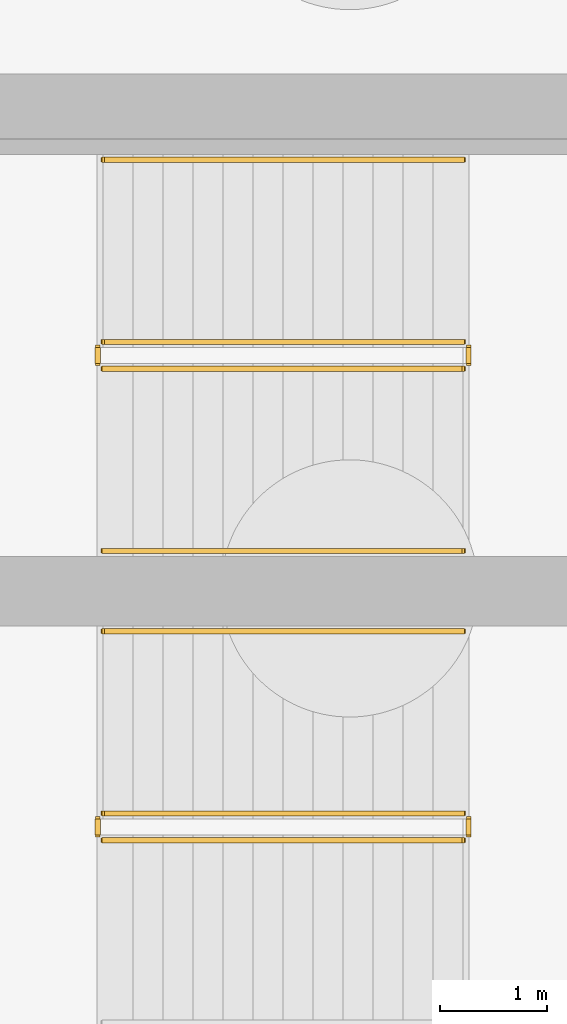
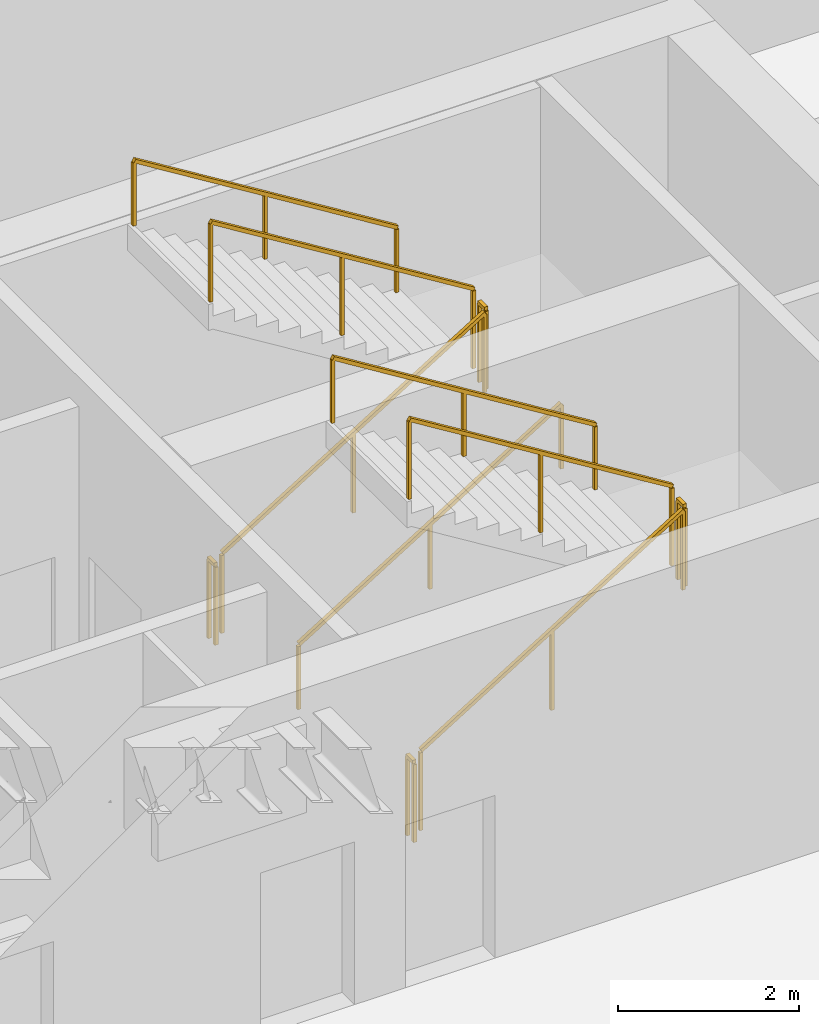
# One storey, part 9 of 11: 11 railings.
"""IFC4 building model written with IfcOpenShell, lengths in metres."""

from ifc_helpers import new_model, si_unit, direction, frame, origin, origin_2d, place, context, subcontext, project, spatial, rectangle, extrude, material, layer, layer_set, type_object, element, save


model = new_model("IFC4")

# Units and contexts
model_context = context("Model", 3, precision=1e-05, world=origin(), true_north=direction((0.0, 1.0)))
body_context = subcontext(model_context, "Body", "Model", "MODEL_VIEW")
ifc_project = project(units=[si_unit("LENGTHUNIT", "METRE"), si_unit("AREAUNIT", "SQUARE_METRE"), si_unit("VOLUMEUNIT", "CUBIC_METRE"), si_unit("PLANEANGLEUNIT", "RADIAN"), si_unit("MASSUNIT", "GRAM", prefix="KILO")], contexts=[model_context])

# Site, building, storey
site_placement = place(None, origin())
site = spatial("IfcSite", under=ifc_project, at=site_placement, CompositionType="ELEMENT")
building_placement = place(site_placement, origin())
building = spatial("IfcBuilding", under=site, at=building_placement, Name="Caeloran Harvest Quay", CompositionType="ELEMENT")
storey_placement = place(building_placement, frame((0.0, 0.0, -18.0)))
storey = spatial("IfcBuildingStorey", under=building, at=storey_placement, Name="B04", CompositionType="ELEMENT", Elevation=-18.0)

# Railings
ifc_material_1 = material(Name="Painted Steel Baluster and Top-Rail Stair Guard", Category="steel")
ifc_layer_1 = layer(ifc_material_1, 0.050048828125, Name="Painted Steel Baluster and Top-Rail Stair Guard")
ifc_layer_set_1 = layer_set([ifc_layer_1], Name="Painted Steel Baluster and Top-Rail Stair Guard")
railing_type_1 = type_object("IfcRailingType", Name="STAIR-GUARD-1100", PredefinedType="GUARDRAIL", material=ifc_layer_set_1)
railing_1_placement = place(storey_placement, frame((15.89990234375, 38.25, 0.173095703125)))
element("IfcRailing", 1, at=railing_1_placement, inside=storey, type_object=railing_type_1, Name="B04 ST-C1 stair guard 1", PredefinedType="GUARDRAIL", context=body_context, shape_type="SweptSolid", body=[
    extrude(rectangle(XDim=0.048095703125, YDim=0.048095703125, at=origin_2d()), frame((0.0, 0.0, 1.076171875), z_axis=(0.850623216509, 0.0, 0.525775754039), x_axis=(0.0, 1.0, 0.0)), (0.0, 0.0, 1.0), 3.9501953125),
    extrude(rectangle(XDim=0.0419921875, YDim=0.0419921875, at=origin_2d()), origin(), (0.0, 0.0, 1.0), 1.052001953125),
    extrude(rectangle(XDim=0.0419921875, YDim=0.0419921875, at=origin_2d()), frame((1.68017578125, 0.0, 1.03857421875)), (0.0, 0.0, 1.0), 1.052001953125),
    extrude(rectangle(XDim=0.0419921875, YDim=0.0419921875, at=origin_2d()), frame((3.360107421875, 0.0, 2.076904296875)), (0.0, 0.0, 1.0), 1.052001953125),
])
railing_2_placement = place(storey_placement, frame((19.31005859375, 38.300048828125, 2.25)))
element("IfcRailing", 2, at=railing_2_placement, inside=storey, type_object=railing_type_1, Name="B04 ST-C1 stair guard 2", PredefinedType="GUARDRAIL", context=body_context, shape_type="SweptSolid", body=[
    extrude(rectangle(XDim=0.048095703125, YDim=0.048095703125, at=origin_2d()), frame((0.0, 0.0, 1.076171875), z_axis=(0.0, 1.0, 0.0), x_axis=(-1.0, 0.0, 0.0)), (0.0, 0.0, 1.0), 0.14990234375),
    extrude(rectangle(XDim=0.0419921875, YDim=0.0419921875, at=origin_2d()), origin(), (0.0, 0.0, 1.0), 1.052001953125),
    extrude(rectangle(XDim=0.0419921875, YDim=0.0419921875, at=origin_2d()), frame((0.0, 0.14990234375, 0.0)), (0.0, 0.0, 1.0), 1.052001953125),
])
railing_3_placement = place(storey_placement, frame((19.260009765625, 38.5, 2.423095703125)))
element("IfcRailing", 3, at=railing_3_placement, inside=storey, type_object=railing_type_1, Name="B04 ST-C1 stair guard 3", PredefinedType="GUARDRAIL", context=body_context, shape_type="SweptSolid", body=[
    extrude(rectangle(XDim=0.048095703125, YDim=0.048095703125, at=origin_2d()), frame((0.0, 0.0, 1.076171875), z_axis=(-0.850623216509, 0.0, 0.525775754039), x_axis=(0.0, -1.0, 0.0)), (0.0, 0.0, 1.0), 3.9501953125),
    extrude(rectangle(XDim=0.0419921875, YDim=0.0419921875, at=origin_2d()), origin(), (0.0, 0.0, 1.0), 1.052001953125),
    extrude(rectangle(XDim=0.0419921875, YDim=0.0419921875, at=origin_2d()), frame((-1.68017578125, 0.0, 1.03857421875)), (0.0, 0.0, 1.0), 1.052001953125),
    extrude(rectangle(XDim=0.0419921875, YDim=0.0419921875, at=origin_2d()), frame((-3.360107421875, 0.0, 2.076904296875)), (0.0, 0.0, 1.0), 1.052001953125),
])
railing_4_placement = place(storey_placement, frame((15.85009765625, 38.300048828125, 0.0)))
element("IfcRailing", 4, at=railing_4_placement, inside=storey, type_object=railing_type_1, Name="B04 ST-C1 stair guard 4", PredefinedType="GUARDRAIL", context=body_context, shape_type="SweptSolid", body=[
    extrude(rectangle(XDim=0.048095703125, YDim=0.048095703125, at=origin_2d()), frame((0.0, 0.0, 1.076171875), z_axis=(0.0, 1.0, 0.0), x_axis=(-1.0, 0.0, 0.0)), (0.0, 0.0, 1.0), 0.14990234375),
    extrude(rectangle(XDim=0.0419921875, YDim=0.0419921875, at=origin_2d()), origin(), (0.0, 0.0, 1.0), 1.052001953125),
    extrude(rectangle(XDim=0.0419921875, YDim=0.0419921875, at=origin_2d()), frame((0.0, 0.14990234375, 0.0)), (0.0, 0.0, 1.0), 1.052001953125),
])
railing_5_placement = place(storey_placement, frame((15.89990234375, 33.85009765625, 0.173095703125)))
element("IfcRailing", 5, at=railing_5_placement, inside=storey, type_object=railing_type_1, Name="B04 ST-C2 stair guard 1", PredefinedType="GUARDRAIL", context=body_context, shape_type="SweptSolid", body=[
    extrude(rectangle(XDim=0.048095703125, YDim=0.048095703125, at=origin_2d()), frame((0.0, 0.0, 1.076171875), z_axis=(0.850623216509, 0.0, 0.525775754039), x_axis=(0.0, 1.0, 0.0)), (0.0, 0.0, 1.0), 3.9501953125),
    extrude(rectangle(XDim=0.0419921875, YDim=0.0419921875, at=origin_2d()), origin(), (0.0, 0.0, 1.0), 1.052001953125),
    extrude(rectangle(XDim=0.0419921875, YDim=0.0419921875, at=origin_2d()), frame((1.68017578125, 0.0, 1.03857421875)), (0.0, 0.0, 1.0), 1.052001953125),
    extrude(rectangle(XDim=0.0419921875, YDim=0.0419921875, at=origin_2d()), frame((3.360107421875, 0.0, 2.076904296875)), (0.0, 0.0, 1.0), 1.052001953125),
])
railing_6_placement = place(storey_placement, frame((19.31005859375, 33.89990234375, 2.25)))
element("IfcRailing", 6, at=railing_6_placement, inside=storey, type_object=railing_type_1, Name="B04 ST-C2 stair guard 2", PredefinedType="GUARDRAIL", context=body_context, shape_type="SweptSolid", body=[
    extrude(rectangle(XDim=0.048095703125, YDim=0.048095703125, at=origin_2d()), frame((0.0, 0.0, 1.076171875), z_axis=(0.0, 1.0, 0.0), x_axis=(-1.0, 0.0, 0.0)), (0.0, 0.0, 1.0), 0.150146484375),
    extrude(rectangle(XDim=0.0419921875, YDim=0.0419921875, at=origin_2d()), origin(), (0.0, 0.0, 1.0), 1.052001953125),
    extrude(rectangle(XDim=0.0419921875, YDim=0.0419921875, at=origin_2d()), frame((0.0, 0.150146484375, 0.0)), (0.0, 0.0, 1.0), 1.052001953125),
])
railing_7_placement = place(storey_placement, frame((19.260009765625, 34.10009765625, 2.423095703125)))
element("IfcRailing", 7, at=railing_7_placement, inside=storey, type_object=railing_type_1, Name="B04 ST-C2 stair guard 3", PredefinedType="GUARDRAIL", context=body_context, shape_type="SweptSolid", body=[
    extrude(rectangle(XDim=0.048095703125, YDim=0.048095703125, at=origin_2d()), frame((0.0, 0.0, 1.076171875), z_axis=(-0.850623216509, 0.0, 0.525775754039), x_axis=(0.0, -1.0, 0.0)), (0.0, 0.0, 1.0), 3.9501953125),
    extrude(rectangle(XDim=0.0419921875, YDim=0.0419921875, at=origin_2d()), origin(), (0.0, 0.0, 1.0), 1.052001953125),
    extrude(rectangle(XDim=0.0419921875, YDim=0.0419921875, at=origin_2d()), frame((-1.68017578125, 0.0, 1.03857421875)), (0.0, 0.0, 1.0), 1.052001953125),
    extrude(rectangle(XDim=0.0419921875, YDim=0.0419921875, at=origin_2d()), frame((-3.360107421875, 0.0, 2.076904296875)), (0.0, 0.0, 1.0), 1.052001953125),
])
railing_8_placement = place(storey_placement, frame((15.85009765625, 33.89990234375, 0.0)))
element("IfcRailing", 8, at=railing_8_placement, inside=storey, type_object=railing_type_1, Name="B04 ST-C2 stair guard 4", PredefinedType="GUARDRAIL", context=body_context, shape_type="SweptSolid", body=[
    extrude(rectangle(XDim=0.048095703125, YDim=0.048095703125, at=origin_2d()), frame((0.0, 0.0, 1.076171875), z_axis=(0.0, 1.0, 0.0), x_axis=(-1.0, 0.0, 0.0)), (0.0, 0.0, 1.0), 0.150146484375),
    extrude(rectangle(XDim=0.0419921875, YDim=0.0419921875, at=origin_2d()), origin(), (0.0, 0.0, 1.0), 1.052001953125),
    extrude(rectangle(XDim=0.0419921875, YDim=0.0419921875, at=origin_2d()), frame((0.0, 0.150146484375, 0.0)), (0.0, 0.0, 1.0), 1.052001953125),
])
ifc_material_2 = material(Name="Brushed Stainless Steel Grade 304", Category="steel")
ifc_layer_2 = layer(ifc_material_2, 0.050048828125, Name="Brushed Stainless Steel Grade 304")
ifc_layer_set_2 = layer_set([ifc_layer_2], Name="Brushed Stainless Steel Grade 304")
railing_type_2 = type_object("IfcRailingType", Name="STAIR-HANDRAIL-900", PredefinedType="HANDRAIL", material=ifc_layer_set_2)
railing_9_placement = place(storey_placement, frame((15.89990234375, 36.550048828125, 0.173095703125)))
element("IfcRailing", 9, at=railing_9_placement, inside=storey, type_object=railing_type_2, Name="B04 ST-C1 stair handrail 1", PredefinedType="HANDRAIL", context=body_context, shape_type="SweptSolid", body=[
    extrude(rectangle(XDim=0.048095703125, YDim=0.048095703125, at=origin_2d()), frame((0.0, 0.0, 0.8759765625), z_axis=(0.850623216509, 0.0, 0.525775754039), x_axis=(0.0, 1.0, 0.0)), (0.0, 0.0, 1.0), 3.9501953125),
    extrude(rectangle(XDim=0.0419921875, YDim=0.0419921875, at=origin_2d()), origin(), (0.0, 0.0, 1.0), 0.851806640625),
    extrude(rectangle(XDim=0.0419921875, YDim=0.0419921875, at=origin_2d()), frame((1.68017578125, 0.0, 1.03857421875)), (0.0, 0.0, 1.0), 0.851806640625),
    extrude(rectangle(XDim=0.0419921875, YDim=0.0419921875, at=origin_2d()), frame((3.360107421875, 0.0, 2.076904296875)), (0.0, 0.0, 1.0), 0.851806640625),
])
for number, where, name in (
    (10, (19.260009765625, 40.199951171875, 2.423095703125), "B04 ST-C1 stair handrail 2"),
    (11, (19.260009765625, 35.800048828125, 2.423095703125), "B04 ST-C2 stair handrail 2"),
):
    element("IfcRailing", number, at=place(storey_placement, frame(where)), inside=storey, type_object=railing_type_2, Name=name, PredefinedType="HANDRAIL", context=body_context, shape_type="SweptSolid", body=[
        extrude(rectangle(XDim=0.048095703125, YDim=0.048095703125, at=origin_2d()), frame((0.0, 0.0, 0.8759765625), z_axis=(-0.850623216509, 0.0, 0.525775754039), x_axis=(0.0, -1.0, 0.0)), (0.0, 0.0, 1.0), 3.9501953125),
        extrude(rectangle(XDim=0.0419921875, YDim=0.0419921875, at=origin_2d()), origin(), (0.0, 0.0, 1.0), 0.851806640625),
        extrude(rectangle(XDim=0.0419921875, YDim=0.0419921875, at=origin_2d()), frame((-1.68017578125, 0.0, 1.03857421875)), (0.0, 0.0, 1.0), 0.851806640625),
        extrude(rectangle(XDim=0.0419921875, YDim=0.0419921875, at=origin_2d()), frame((-3.360107421875, 0.0, 2.076904296875)), (0.0, 0.0, 1.0), 0.851806640625),
    ])

save(model, "model.ifc")
